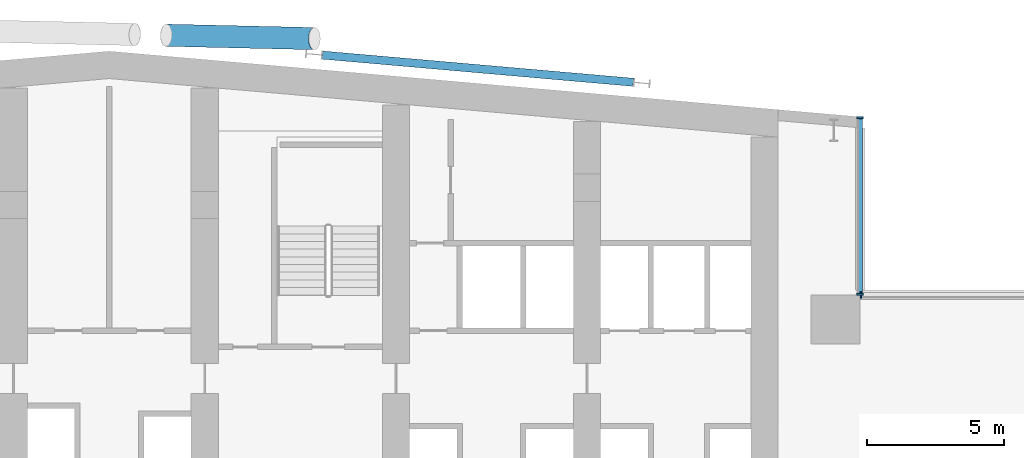
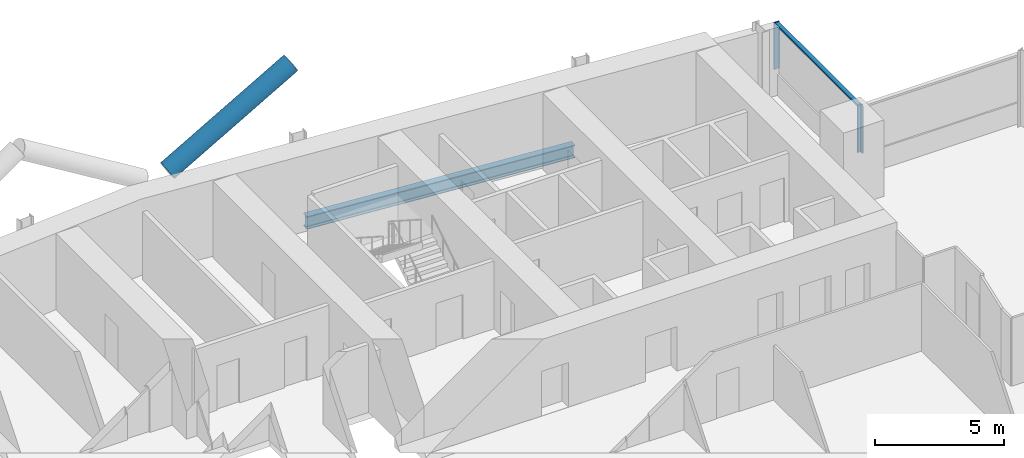
# One storey, part 9 of 26: 5 members, 1 beam, 2 elements without a shape of their own.
"""IFC4 building model written with IfcOpenShell, lengths in metres."""

from ifc_helpers import new_model, si_unit, direction, frame, origin, origin_2d, place, context, subcontext, project, spatial, rectangle, hollow_circle, i_section, extrude, material, material_profile, profile_set, type_object, element, aggregate, save


model = new_model("IFC4")

# Units and contexts
model_context = context("Model", 3, precision=1e-05, world=origin(), true_north=direction((0.0, 1.0)))
body_context = subcontext(model_context, "Body", "Model", "MODEL_VIEW")
ifc_project = project(units=[si_unit("LENGTHUNIT", "METRE"), si_unit("AREAUNIT", "SQUARE_METRE"), si_unit("VOLUMEUNIT", "CUBIC_METRE"), si_unit("PLANEANGLEUNIT", "RADIAN"), si_unit("MASSUNIT", "GRAM", prefix="KILO")], contexts=[model_context])

# Site, building, storey
site_placement = place(None, origin())
site = spatial("IfcSite", under=ifc_project, at=site_placement, CompositionType="ELEMENT")
building_placement = place(site_placement, origin())
building = spatial("IfcBuilding", under=site, at=building_placement, Name="Wharfspan Tower", CompositionType="ELEMENT")
storey_placement = place(building_placement, frame((0.0, 0.0, 125.5)))
storey = spatial("IfcBuildingStorey", under=building, at=storey_placement, Name="L29", CompositionType="ELEMENT", Elevation=125.5)

# Beam
ifc_material_1 = material(Name="Steel S355J2", Category="steel")
ifc_material_profile_1 = material_profile(ifc_material_1, i_section(OverallWidth=0.300049, OverallDepth=0.600098, WebThickness=0.015381, FlangeThickness=0.030029, FilletRadius=0.0271, at=origin_2d()))
ifc_profile_set_1 = profile_set([ifc_material_profile_1], Name="Steel S355J2")
beam_type = type_object("IfcBeamType", Name="Edge beam HEB 600", PredefinedType="SPANDREL", material=ifc_profile_set_1)
beam_placement = place(storey_placement, frame((59.695068, 49.791504, -0.699951), z_axis=(-0.996194, 0.087162, 0.0), x_axis=(-0.087162, -0.996194, 0.0)))
element("IfcBeam", 1, at=beam_placement, inside=storey, type_object=beam_type, Name="Edge beam N2 L29 R.4 to R.3", PredefinedType="SPANDREL", context=body_context, shape_type="SweptSolid", body=[
    extrude(i_section(OverallWidth=0.300049, OverallDepth=0.600098, WebThickness=0.015381, FlangeThickness=0.030029, FilletRadius=0.0271, at=origin_2d()), origin(), (0.0, 0.0, 1.0), 11.433594),
])

# Curtain wall, member
ifc_material_2 = material(Name="Aluminium 6063-T6", Category="aluminium")
curtain_wall_type = type_object("IfcCurtainWallType", Name="CURTAIN WALL PROW AND END", PredefinedType="NOTDEFINED", material=ifc_material_2)
curtain_wall_1_placement = place(storey_placement, origin())
curtain_wall_1 = element("IfcCurtainWall", 2, at=curtain_wall_1_placement, inside=storey, type_object=curtain_wall_type, Name="Curtain wall NRE-H", PredefinedType="NOTDEFINED")
ifc_material_profile_2 = material_profile(ifc_material_2, rectangle(XDim=0.23999, YDim=0.060059, at=origin_2d()))
ifc_profile_set_2 = profile_set([ifc_material_profile_2], Name="Aluminium 6063-T6")
member_type_1 = type_object("IfcMemberType", Name="MULLION PROW AND END 60x240", PredefinedType="MULLION", material=ifc_profile_set_2)
member_1_placement = place(storey_placement, frame((68.030029, 42.0, 1.0), z_axis=(0.0, 0.0, 1.0), x_axis=(0.0, -1.0, 0.0)))
member_1 = element("IfcMember", 3, at=member_1_placement, type_object=member_type_1, Name="Curtain wall NRE-H mullion 2", PredefinedType="MULLION", context=body_context, shape_type="SweptSolid", body=[
    extrude(rectangle(XDim=0.23999, YDim=0.060059, at=origin_2d()), origin(), (0.0, 0.0, 1.0), 2.199951),
])
aggregate(curtain_wall_1, [member_1])

# Curtain wall, members
curtain_wall_2_placement = place(storey_placement, origin())
curtain_wall_2 = element("IfcCurtainWall", 4, at=curtain_wall_2_placement, inside=storey, type_object=curtain_wall_type, Name="Curtain wall NRE-V", PredefinedType="NOTDEFINED")
member_2_placement = place(storey_placement, frame((68.0, 42.030029, 1.0), z_axis=(0.0, 0.0, 1.0), x_axis=(-1.0, 0.0, 0.0)))
member_2 = element("IfcMember", 5, at=member_2_placement, type_object=member_type_1, Name="Curtain wall NRE-V mullion 1", PredefinedType="MULLION", context=body_context, shape_type="SweptSolid", body=[
    extrude(rectangle(XDim=0.23999, YDim=0.060059, at=origin_2d()), origin(), (0.0, 0.0, 1.0), 2.199951),
])
member_3_placement = place(storey_placement, frame((68.0, 48.494873, 1.0), z_axis=(0.0, 0.0, 1.0), x_axis=(-1.0, 0.0, 0.0)))
member_3 = element("IfcMember", 6, at=member_3_placement, type_object=member_type_1, Name="Curtain wall NRE-V mullion 2", PredefinedType="MULLION", context=body_context, shape_type="SweptSolid", body=[
    extrude(rectangle(XDim=0.23999, YDim=0.060059, at=origin_2d()), origin(), (0.0, 0.0, 1.0), 2.199951),
])

# Member
ifc_material_3 = material(Name="Steel S460NH", Category="steel")
ifc_material_profile_3 = material_profile(ifc_material_3, hollow_circle(Radius=0.406494, WallThickness=0.040039, at=origin_2d()))
ifc_profile_set_3 = profile_set([ifc_material_profile_3], Name="Steel S460NH")
member_type_2 = type_object("IfcMemberType", Name="Mega brace CHS 813x40", PredefinedType="BRACE", material=ifc_profile_set_3)
member_4_placement = place(storey_placement, frame((42.590332, 51.514893, 3.246582), z_axis=(0.857327, -0.019686, 0.514396), x_axis=(0.022956, 0.999736, 0.0)))
element("IfcMember", 7, at=member_4_placement, inside=storey, type_object=member_type_2, Name="Mega brace N7 L29 part 2", PredefinedType="BRACE", context=body_context, shape_type="SweptSolid", body=[
    extrude(hollow_circle(Radius=0.406494, WallThickness=0.040039, at=origin_2d()), origin(), (0.0, 0.0, 1.0), 6.324707),
])

ifc_material_profile_4 = material_profile(ifc_material_2, rectangle(XDim=0.179932, YDim=0.080078, at=origin_2d()))
ifc_profile_set_4 = profile_set([ifc_material_profile_4], Name="Aluminium 6063-T6")
member_type_3 = type_object("IfcMemberType", Name="TRANSOM PROW AND END 80x180", PredefinedType="USERDEFINED", material=ifc_profile_set_4)
member_5_placement = place(storey_placement, frame((68.0, 42.060059, 3.159912), z_axis=(0.0, 1.0, 0.0), x_axis=(-1.0, 0.0, 0.0)))
member_5 = element("IfcMember", 8, at=member_5_placement, type_object=member_type_3, Name="Curtain wall NRE-V transom 1", ObjectType="TRANSOM", PredefinedType="USERDEFINED", context=body_context, shape_type="SweptSolid", body=[
    extrude(rectangle(XDim=0.179932, YDim=0.080078, at=origin_2d()), origin(), (0.0, 0.0, 1.0), 6.404785),
])

aggregate(curtain_wall_2, [member_2, member_3, member_5])

save(model, "model.ifc")
